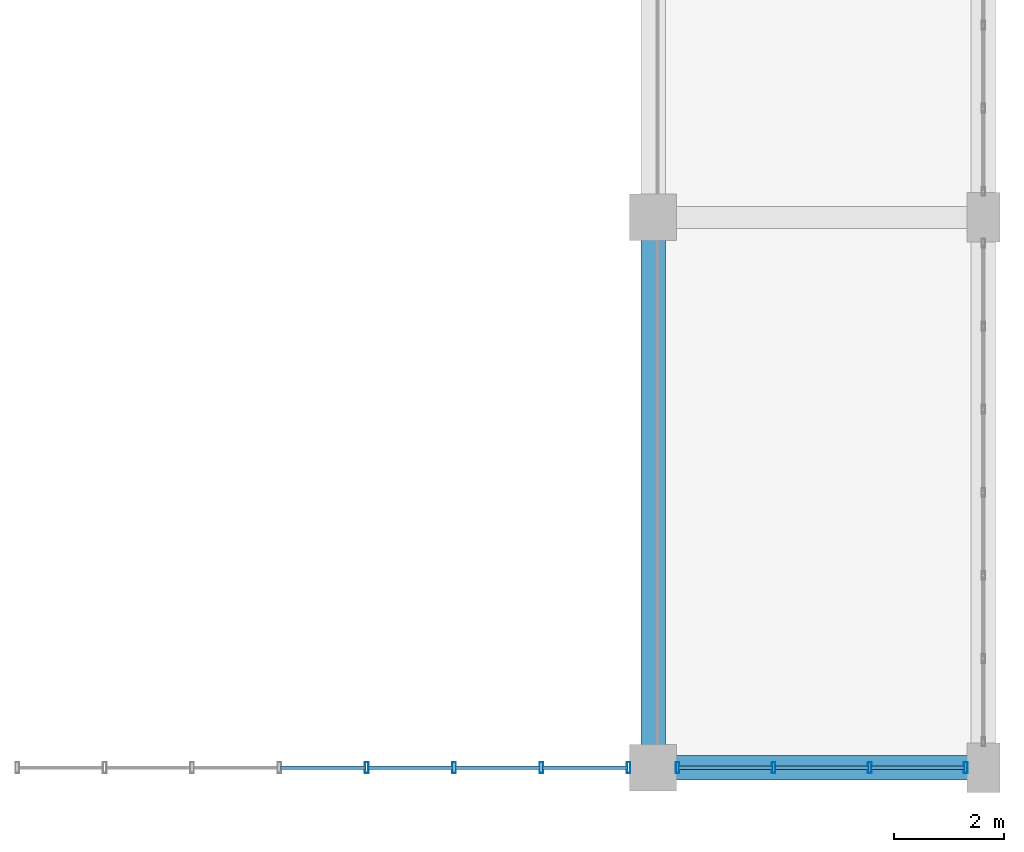
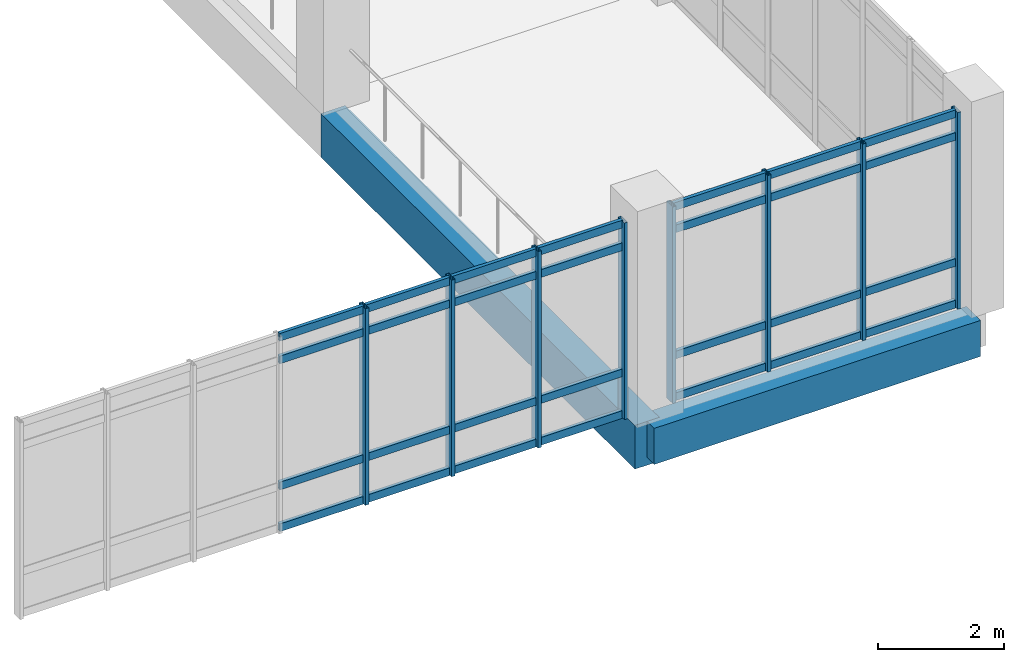
# One storey, part 102 of 161: 36 members, 2 beams, 2 elements without a shape of their own.
"""IFC4 building model written with IfcOpenShell, lengths in metres."""

import ifcopenshell
import ifcopenshell.guid

model = None  # the IFC model being written
_history = None  # IfcOwnerHistory: only IFC2X3 demands one
_inside = {}  # id of a spatial element -> (the spatial element, [elements in it])
_under = {}  # id of a project, library or spatial element -> (it, [spatial elements below it])
_declared = {}  # id of a project -> (the project, [libraries it declares])
_typed = {}  # id of a type object -> (the type object, [elements of that type])
_made_of = {}  # id of a material, layer set ... -> (it, [elements and type objects made of it])


def new_model(schema):
    """Start an empty IFC model of exactly this schema.

    Asked for "IFC4X3", IfcOpenShell would pick the latest addendum, in which some entities
    have other attributes; the version numbers below select the first issue.
    IFC2X3 requires an IfcOwnerHistory on every rooted entity: one is made here for all.
    """
    global model, _history
    if schema == "IFC4X3":
        model = ifcopenshell.file(schema_version=(4, 3, 0, 0))
    else:
        model = ifcopenshell.file(schema=schema)
    _inside.clear()
    _under.clear()
    _declared.clear()
    _typed.clear()
    _made_of.clear()
    _history = None
    if model.schema == "IFC2X3":
        org = make("IfcOrganization", Name="unknown")
        user = make(
            "IfcPersonAndOrganization",
            ThePerson=make("IfcPerson", FamilyName="unknown"),
            TheOrganization=org,
        )
        app = make(
            "IfcApplication",
            ApplicationDeveloper=org,
            Version="unknown",
            ApplicationFullName="unknown",
            ApplicationIdentifier="unknown",
        )
        _history = make(
            "IfcOwnerHistory",
            OwningUser=user,
            OwningApplication=app,
            ChangeAction="ADDED",
            CreationDate=0,
        )
    return model


def make(cls, **values):
    """One entity of the class cls with the attributes given. An attribute that is None is left unset."""
    return model.create_entity(
        cls, **{name: value for name, value in values.items() if value is not None}
    )


def rooted(cls, **values):
    """An entity with a GlobalId (a new one), such as an element, a storey or a relation."""
    return make(cls, GlobalId=ifcopenshell.guid.new(), OwnerHistory=_history, **values)


def si_unit(unit_type, name, prefix=None):
    """IfcSIUnit, for example si_unit("LENGTHUNIT", "METRE", prefix="MILLI")."""
    return make("IfcSIUnit", UnitType=unit_type, Prefix=prefix, Name=name)


def assignment(units):
    """IfcUnitAssignment: the units of a project."""
    return None if units is None else make("IfcUnitAssignment", Units=units)


def point(xyz):
    """IfcCartesianPoint."""
    return None if xyz is None else make("IfcCartesianPoint", Coordinates=xyz)


def direction(xyz):
    """IfcDirection."""
    return None if xyz is None else make("IfcDirection", DirectionRatios=xyz)


def frame(location, z_axis=None, x_axis=None):
    """IfcAxis2Placement3D, a coordinate frame: its origin and axes. An axis left out is left unset."""
    return make(
        "IfcAxis2Placement3D",
        Location=point(location),
        Axis=direction(z_axis),
        RefDirection=direction(x_axis),
    )


def frame_2d(location, x_axis=None):
    """IfcAxis2Placement2D, a coordinate frame in the plane: its origin and x axis."""
    return make(
        "IfcAxis2Placement2D", Location=point(location), RefDirection=direction(x_axis)
    )


def origin():
    """The frame at (0, 0, 0) with its axes left unset."""
    return frame((0.0, 0.0, 0.0))


def origin_2d():
    """The frame at (0, 0) in the plane with its x axis left unset."""
    return frame_2d((0.0, 0.0))


def place(relative_to, where):
    """IfcLocalPlacement: puts the frame where relative to a parent placement (None: the world)."""
    return make(
        "IfcLocalPlacement", PlacementRelTo=relative_to, RelativePlacement=where
    )


def context(
    kind, dimensions, precision=None, world=None, true_north=None, identifier=None
):
    """IfcGeometricRepresentationContext, for example the 3D "Model" context."""
    return make(
        "IfcGeometricRepresentationContext",
        ContextIdentifier=identifier,
        ContextType=kind,
        CoordinateSpaceDimension=dimensions,
        Precision=precision,
        WorldCoordinateSystem=world,
        TrueNorth=true_north,
    )


def subcontext(parent, identifier, kind, view, scale=None):
    """IfcGeometricRepresentationSubContext, for example "Body" below "Model"."""
    return make(
        "IfcGeometricRepresentationSubContext",
        ContextIdentifier=identifier,
        ContextType=kind,
        ParentContext=parent,
        TargetScale=scale,
        TargetView=view,
    )


def project(units=None, contexts=None):
    """IfcProject with its units and contexts."""
    return rooted(
        "IfcProject",
        Name="project",
        RepresentationContexts=contexts,
        UnitsInContext=assignment(units),
    )


def spatial(cls, under=None, at=None, **own):
    """A site, building, storey or space (cls), placed at a placement, below another one or the project."""
    s = rooted(cls, ObjectPlacement=at, **own)
    if under is not None:
        _under.setdefault(under.id(), (under, []))[1].append(s)
    return s


def profile(cls, at=None, kind="AREA", **sizes):
    """A parametric profile (cls). Its sizes go by their IFC names, for example OverallWidth=200.0."""
    return make(cls, ProfileType=kind, Position=at, **sizes)


def rectangle(**sizes):
    """IfcRectangleProfileDef."""
    return profile("IfcRectangleProfileDef", **sizes)


def hollow_rectangle(**sizes):
    """IfcRectangleHollowProfileDef."""
    return profile("IfcRectangleHollowProfileDef", **sizes)


def extrude(swept, where, along, depth):
    """IfcExtrudedAreaSolid: the profile swept, set in the frame where, extruded along a direction by depth."""
    return make(
        "IfcExtrudedAreaSolid",
        SweptArea=swept,
        Position=where,
        ExtrudedDirection=direction(along),
        Depth=depth,
    )


def shape(context_of_items, identifier, shape_type, items):
    """IfcShapeRepresentation: the items that make up one representation, for example the "Body"."""
    return make(
        "IfcShapeRepresentation",
        ContextOfItems=context_of_items,
        RepresentationIdentifier=identifier,
        RepresentationType=shape_type,
        Items=items,
    )


def material(Name=None, Category=None):
    """IfcMaterial."""
    return make("IfcMaterial", Name=Name, Category=Category)


def layer(
    of_material, thickness, ventilated=None, Name=None, Category=None, Priority=None
):
    """IfcMaterialLayer: one layer of a wall or slab, of a material (None: an air gap)."""
    return make(
        "IfcMaterialLayer",
        Material=of_material,
        LayerThickness=thickness,
        IsVentilated=ventilated,
        Name=Name,
        Category=Category,
        Priority=Priority,
    )


def layer_set(layers, Name=None):
    """IfcMaterialLayerSet."""
    return make("IfcMaterialLayerSet", MaterialLayers=layers, LayerSetName=Name)


def material_profile(
    of_material, cross_section, Name=None, Category=None, Priority=None
):
    """IfcMaterialProfile: a cross section and its material."""
    return make(
        "IfcMaterialProfile",
        Name=Name,
        Material=of_material,
        Profile=cross_section,
        Priority=Priority,
        Category=Category,
    )


def profile_set(profiles, Name=None, composite=None):
    """IfcMaterialProfileSet."""
    return make(
        "IfcMaterialProfileSet",
        Name=Name,
        MaterialProfiles=profiles,
        CompositeProfile=composite,
    )


def made_of(thing, what):
    """Note that an element or type object is made of a material, layer set ...; save() writes the relation."""
    if what is not None:
        _made_of.setdefault(what.id(), (what, []))[1].append(thing)
    return thing


def type_object(cls, material=None, **own):
    """A type object (cls), such as IfcWallType, which elements share."""
    return made_of(rooted(cls, **own), material)


def element(
    cls,
    number,
    at=None,
    inside=None,
    cuts=None,
    type_object=None,
    material=None,
    context=None,
    identifier="Body",
    shape_type=None,
    held_by="IfcProductDefinitionShape",
    body=None,
    shapes=None,
    **own,
):
    """One element of the class cls, such as IfcWall. Its Tag is "e" and its number.

    at: its placement. inside: the storey or other place that contains it. cuts: it is an
    opening in that element (IfcRelVoidsElement). A single representation is given by context,
    identifier, shape_type and body (its items); several are given by shapes. held_by: the class
    of the entity that holds the representations. save() writes the other relations.
    """
    e = rooted(cls, Tag="e%d" % number, ObjectPlacement=at, **own)
    if body is not None:
        shapes = [shape(context, identifier, shape_type, body)]
    if shapes is not None:
        e.Representation = make(held_by, Representations=shapes)
    if inside is not None:
        _inside.setdefault(inside.id(), (inside, []))[1].append(e)
    if cuts is not None:
        rooted(
            "IfcRelVoidsElement", RelatingBuildingElement=cuts, RelatedOpeningElement=e
        )
    if type_object is not None:
        _typed.setdefault(type_object.id(), (type_object, []))[1].append(e)
    return made_of(e, material)


def aggregate(whole, parts):
    """IfcRelAggregates: a whole, such as a stair, and the parts it consists of."""
    return rooted("IfcRelAggregates", RelatingObject=whole, RelatedObjects=parts)


def save(model, path):
    """Write the relations noted so far, then the file.

    IfcRelAggregates (storeys below a building ...), IfcRelContainedInSpatialStructure (elements
    in a storey), IfcRelDefinesByType, IfcRelAssociatesMaterial and IfcRelDeclares: one each for
    every whole, place, type object, material and project.
    """
    for whole, parts in _under.values():
        aggregate(whole, parts)
    for where, things in _inside.values():
        rooted(
            "IfcRelContainedInSpatialStructure",
            RelatedElements=things,
            RelatingStructure=where,
        )
    for kind, things in _typed.values():
        rooted("IfcRelDefinesByType", RelatedObjects=things, RelatingType=kind)
    for what, things in _made_of.values():
        rooted("IfcRelAssociatesMaterial", RelatedObjects=things, RelatingMaterial=what)
    for by, libraries in _declared.values():
        rooted("IfcRelDeclares", RelatingContext=by, RelatedDefinitions=libraries)
    model.write(path)


model = new_model("IFC4")

# Units and contexts
model_context = context("Model", 3, precision=1e-05, world=origin(), true_north=direction((0.0, 1.0)))
body_context = subcontext(model_context, "Body", "Model", "MODEL_VIEW")
ifc_project = project(units=[si_unit("LENGTHUNIT", "METRE"), si_unit("AREAUNIT", "SQUARE_METRE"), si_unit("VOLUMEUNIT", "CUBIC_METRE"), si_unit("PLANEANGLEUNIT", "RADIAN"), si_unit("MASSUNIT", "GRAM", prefix="KILO")], contexts=[model_context])

# Site, building, storey
site_placement = place(None, origin())
site = spatial("IfcSite", under=ifc_project, at=site_placement, CompositionType="ELEMENT")
building_placement = place(site_placement, origin())
building = spatial("IfcBuilding", under=site, at=building_placement, Name="Mersad Railyard Sports Hall", CompositionType="ELEMENT")
storey_placement = place(building_placement, frame((0.0, 0.0, 4.800048828125)))
storey = spatial("IfcBuildingStorey", under=building, at=storey_placement, Name="L01", CompositionType="ELEMENT", Elevation=4.800048828125)

# Curtain wall, members
ifc_material_1 = material(Name="Aluminium 6063-T6", Category="aluminium")
ifc_layer_1 = layer(ifc_material_1, 0.199951171875)
ifc_layer_set_1 = layer_set([ifc_layer_1], Name="Aluminium 6063-T6")
curtain_wall_type_1 = type_object("IfcCurtainWallType", Name="ARC-CW-CW10", PredefinedType="USERDEFINED", material=ifc_layer_set_1)
curtain_wall_1_placement = place(storey_placement, origin())
curtain_wall_1 = element("IfcCurtainWall", 1, at=curtain_wall_1_placement, inside=storey, type_object=curtain_wall_type_1, Name="Curtain wall CW10-0041", ObjectType="CURTAIN WALL", PredefinedType="USERDEFINED")
ifc_material_profile_1 = material_profile(ifc_material_1, hollow_rectangle(XDim=0.06494140625, YDim=0.199951171875, WallThickness=0.0048828125, at=origin_2d()), Name="AL MULLION 65x200x5")
ifc_profile_set_1 = profile_set([ifc_material_profile_1], Name="Aluminium 6063-T6")
member_type_1 = type_object("IfcMemberType", Name="ARC-CW-MUL02", PredefinedType="MULLION", material=ifc_profile_set_1)
member_1_placement = place(storey_placement, frame((172.554931640625, 3.5, -0.02001953125), z_axis=(0.0, 0.0, 1.0), x_axis=(1.0, 0.0, 0.0)))
member_1 = element("IfcMember", 2, at=member_1_placement, type_object=member_type_1, Name="CW10 Mullion 1", PredefinedType="MULLION", context=body_context, shape_type="SweptSolid", body=[
    extrude(hollow_rectangle(XDim=0.06494140625, YDim=0.199951171875, WallThickness=0.0048828125, at=origin_2d()), origin(), (0.0, 0.0, 1.0), 3.820068359375),
])
member_2_placement = place(storey_placement, frame((170.968505859375, 3.5, -0.02001953125), z_axis=(0.0, 0.0, 1.0), x_axis=(1.0, 0.0, 0.0)))
member_2 = element("IfcMember", 3, at=member_2_placement, type_object=member_type_1, Name="CW10 Mullion 2", PredefinedType="MULLION", context=body_context, shape_type="SweptSolid", body=[
    extrude(hollow_rectangle(XDim=0.06494140625, YDim=0.199951171875, WallThickness=0.0048828125, at=origin_2d()), origin(), (0.0, 0.0, 1.0), 3.820068359375),
])
member_3_placement = place(storey_placement, frame((169.382080078125, 3.5, -0.02001953125), z_axis=(0.0, 0.0, 1.0), x_axis=(1.0, 0.0, 0.0)))
member_3 = element("IfcMember", 4, at=member_3_placement, type_object=member_type_1, Name="CW10 Mullion 3", PredefinedType="MULLION", context=body_context, shape_type="SweptSolid", body=[
    extrude(hollow_rectangle(XDim=0.06494140625, YDim=0.199951171875, WallThickness=0.0048828125, at=origin_2d()), origin(), (0.0, 0.0, 1.0), 3.820068359375),
])
member_4_placement = place(storey_placement, frame((167.795654296875, 3.5, -0.02001953125), z_axis=(0.0, 0.0, 1.0), x_axis=(1.0, 0.0, 0.0)))
member_4 = element("IfcMember", 5, at=member_4_placement, type_object=member_type_1, Name="CW10 Mullion 4", PredefinedType="MULLION", context=body_context, shape_type="SweptSolid", body=[
    extrude(hollow_rectangle(XDim=0.06494140625, YDim=0.199951171875, WallThickness=0.0048828125, at=origin_2d()), origin(), (0.0, 0.0, 1.0), 3.820068359375),
])

ifc_layer_2 = layer(ifc_material_1, 0.199951171875)
ifc_layer_set_2 = layer_set([ifc_layer_2], Name="Aluminium 6063-T6")
curtain_wall_type_2 = type_object("IfcCurtainWallType", Name="ARC-CW-CW09", PredefinedType="USERDEFINED", material=ifc_layer_set_2)
curtain_wall_2_placement = place(storey_placement, origin())
curtain_wall_2 = element("IfcCurtainWall", 6, at=curtain_wall_2_placement, inside=storey, type_object=curtain_wall_type_2, Name="Curtain wall CW09-0043", ObjectType="CURTAIN WALL", PredefinedType="USERDEFINED")
member_5_placement = place(storey_placement, frame((178.679931640625, 3.5, -0.02001953125), z_axis=(0.0, 0.0, 1.0), x_axis=(1.0, 0.0, 0.0)))
member_5 = element("IfcMember", 7, at=member_5_placement, type_object=member_type_1, Name="CW09 Mullion 1", PredefinedType="MULLION", context=body_context, shape_type="SweptSolid", body=[
    extrude(hollow_rectangle(XDim=0.06494140625, YDim=0.199951171875, WallThickness=0.0048828125, at=origin_2d()), origin(), (0.0, 0.0, 1.0), 3.820068359375),
])
member_6_placement = place(storey_placement, frame((176.93505859375, 3.5, -0.02001953125), z_axis=(0.0, 0.0, 1.0), x_axis=(1.0, 0.0, 0.0)))
member_6 = element("IfcMember", 8, at=member_6_placement, type_object=member_type_1, Name="CW09 Mullion 2", PredefinedType="MULLION", context=body_context, shape_type="SweptSolid", body=[
    extrude(hollow_rectangle(XDim=0.06494140625, YDim=0.199951171875, WallThickness=0.0048828125, at=origin_2d()), origin(), (0.0, 0.0, 1.0), 3.820068359375),
])
member_7_placement = place(storey_placement, frame((175.18994140625, 3.5, -0.02001953125), z_axis=(0.0, 0.0, 1.0), x_axis=(1.0, 0.0, 0.0)))
member_7 = element("IfcMember", 9, at=member_7_placement, type_object=member_type_1, Name="CW09 Mullion 3", PredefinedType="MULLION", context=body_context, shape_type="SweptSolid", body=[
    extrude(hollow_rectangle(XDim=0.06494140625, YDim=0.199951171875, WallThickness=0.0048828125, at=origin_2d()), origin(), (0.0, 0.0, 1.0), 3.820068359375),
])
member_8_placement = place(storey_placement, frame((173.445068359375, 3.5, -0.02001953125), z_axis=(0.0, 0.0, 1.0), x_axis=(1.0, 0.0, 0.0)))
member_8 = element("IfcMember", 10, at=member_8_placement, type_object=member_type_1, Name="CW09 Mullion 4", PredefinedType="MULLION", context=body_context, shape_type="SweptSolid", body=[
    extrude(hollow_rectangle(XDim=0.06494140625, YDim=0.199951171875, WallThickness=0.0048828125, at=origin_2d()), origin(), (0.0, 0.0, 1.0), 3.820068359375),
])

# Member
ifc_material_profile_2 = material_profile(ifc_material_1, hollow_rectangle(XDim=0.06494140625, YDim=0.14990234375, WallThickness=0.00439453125, at=origin_2d()), Name="AL TRANSOM 65x150x4.5")
ifc_profile_set_2 = profile_set([ifc_material_profile_2], Name="Aluminium 6063-T6")
member_type_2 = type_object("IfcMemberType", Name="ARC-CW-TRN02", PredefinedType="USERDEFINED", material=ifc_profile_set_2)
member_9_placement = place(storey_placement, frame((172.534912109375, 3.5, 0.0400390625), z_axis=(-1.0, 0.0, 0.0), x_axis=(0.0, -1.0, 0.0)))
member_9 = element("IfcMember", 11, at=member_9_placement, type_object=member_type_2, Name="CW10 Transom 1-1", ObjectType="TRANSOM", PredefinedType="USERDEFINED", context=body_context, shape_type="SweptSolid", body=[
    extrude(hollow_rectangle(XDim=0.06494140625, YDim=0.14990234375, WallThickness=0.00439453125, at=origin_2d()), origin(), (0.0, 0.0, 1.0), 1.54638671875),
])

member_10_placement = place(storey_placement, frame((170.948486328125, 3.5, 0.0400390625), z_axis=(-1.0, 0.0, 0.0), x_axis=(0.0, -1.0, 0.0)))
member_10 = element("IfcMember", 12, at=member_10_placement, type_object=member_type_2, Name="CW10 Transom 1-2", ObjectType="TRANSOM", PredefinedType="USERDEFINED", context=body_context, shape_type="SweptSolid", body=[
    extrude(hollow_rectangle(XDim=0.06494140625, YDim=0.14990234375, WallThickness=0.00439453125, at=origin_2d()), origin(), (0.0, 0.0, 1.0), 1.54638671875),
])

member_11_placement = place(storey_placement, frame((169.362060546875, 3.5, 0.0400390625), z_axis=(-1.0, 0.0, 0.0), x_axis=(0.0, -1.0, 0.0)))
member_11 = element("IfcMember", 13, at=member_11_placement, type_object=member_type_2, Name="CW10 Transom 1-3", ObjectType="TRANSOM", PredefinedType="USERDEFINED", context=body_context, shape_type="SweptSolid", body=[
    extrude(hollow_rectangle(XDim=0.06494140625, YDim=0.14990234375, WallThickness=0.00439453125, at=origin_2d()), origin(), (0.0, 0.0, 1.0), 1.54638671875),
])

member_12_placement = place(storey_placement, frame((167.775634765625, 3.5, 0.0400390625), z_axis=(-1.0, 0.0, 0.0), x_axis=(0.0, -1.0, 0.0)))
member_12 = element("IfcMember", 14, at=member_12_placement, type_object=member_type_2, Name="CW10 Transom 1-4", ObjectType="TRANSOM", PredefinedType="USERDEFINED", context=body_context, shape_type="SweptSolid", body=[
    extrude(hollow_rectangle(XDim=0.06494140625, YDim=0.14990234375, WallThickness=0.00439453125, at=origin_2d()), origin(), (0.0, 0.0, 1.0), 1.54638671875),
])

member_13_placement = place(storey_placement, frame((172.534912109375, 3.5, 0.849853515625), z_axis=(-1.0, 0.0, 0.0), x_axis=(0.0, -1.0, 0.0)))
member_13 = element("IfcMember", 15, at=member_13_placement, type_object=member_type_2, Name="CW10 Transom 2-1", ObjectType="TRANSOM", PredefinedType="USERDEFINED", context=body_context, shape_type="SweptSolid", body=[
    extrude(hollow_rectangle(XDim=0.06494140625, YDim=0.14990234375, WallThickness=0.00439453125, at=origin_2d()), origin(), (0.0, 0.0, 1.0), 1.54638671875),
])

member_14_placement = place(storey_placement, frame((170.948486328125, 3.5, 0.849853515625), z_axis=(-1.0, 0.0, 0.0), x_axis=(0.0, -1.0, 0.0)))
member_14 = element("IfcMember", 16, at=member_14_placement, type_object=member_type_2, Name="CW10 Transom 2-2", ObjectType="TRANSOM", PredefinedType="USERDEFINED", context=body_context, shape_type="SweptSolid", body=[
    extrude(hollow_rectangle(XDim=0.06494140625, YDim=0.14990234375, WallThickness=0.00439453125, at=origin_2d()), origin(), (0.0, 0.0, 1.0), 1.54638671875),
])

member_15_placement = place(storey_placement, frame((169.362060546875, 3.5, 0.849853515625), z_axis=(-1.0, 0.0, 0.0), x_axis=(0.0, -1.0, 0.0)))
member_15 = element("IfcMember", 17, at=member_15_placement, type_object=member_type_2, Name="CW10 Transom 2-3", ObjectType="TRANSOM", PredefinedType="USERDEFINED", context=body_context, shape_type="SweptSolid", body=[
    extrude(hollow_rectangle(XDim=0.06494140625, YDim=0.14990234375, WallThickness=0.00439453125, at=origin_2d()), origin(), (0.0, 0.0, 1.0), 1.54638671875),
])

member_16_placement = place(storey_placement, frame((167.775634765625, 3.5, 0.849853515625), z_axis=(-1.0, 0.0, 0.0), x_axis=(0.0, -1.0, 0.0)))
member_16 = element("IfcMember", 18, at=member_16_placement, type_object=member_type_2, Name="CW10 Transom 2-4", ObjectType="TRANSOM", PredefinedType="USERDEFINED", context=body_context, shape_type="SweptSolid", body=[
    extrude(hollow_rectangle(XDim=0.06494140625, YDim=0.14990234375, WallThickness=0.00439453125, at=origin_2d()), origin(), (0.0, 0.0, 1.0), 1.54638671875),
])

member_17_placement = place(storey_placement, frame((172.534912109375, 3.5, 3.300048828125), z_axis=(-1.0, 0.0, 0.0), x_axis=(0.0, -1.0, 0.0)))
member_17 = element("IfcMember", 19, at=member_17_placement, type_object=member_type_2, Name="CW10 Transom 3-1", ObjectType="TRANSOM", PredefinedType="USERDEFINED", context=body_context, shape_type="SweptSolid", body=[
    extrude(hollow_rectangle(XDim=0.06494140625, YDim=0.14990234375, WallThickness=0.00439453125, at=origin_2d()), origin(), (0.0, 0.0, 1.0), 1.54638671875),
])

member_18_placement = place(storey_placement, frame((170.948486328125, 3.5, 3.300048828125), z_axis=(-1.0, 0.0, 0.0), x_axis=(0.0, -1.0, 0.0)))
member_18 = element("IfcMember", 20, at=member_18_placement, type_object=member_type_2, Name="CW10 Transom 3-2", ObjectType="TRANSOM", PredefinedType="USERDEFINED", context=body_context, shape_type="SweptSolid", body=[
    extrude(hollow_rectangle(XDim=0.06494140625, YDim=0.14990234375, WallThickness=0.00439453125, at=origin_2d()), origin(), (0.0, 0.0, 1.0), 1.54638671875),
])

member_19_placement = place(storey_placement, frame((169.362060546875, 3.5, 3.300048828125), z_axis=(-1.0, 0.0, 0.0), x_axis=(0.0, -1.0, 0.0)))
member_19 = element("IfcMember", 21, at=member_19_placement, type_object=member_type_2, Name="CW10 Transom 3-3", ObjectType="TRANSOM", PredefinedType="USERDEFINED", context=body_context, shape_type="SweptSolid", body=[
    extrude(hollow_rectangle(XDim=0.06494140625, YDim=0.14990234375, WallThickness=0.00439453125, at=origin_2d()), origin(), (0.0, 0.0, 1.0), 1.54638671875),
])

member_20_placement = place(storey_placement, frame((167.775634765625, 3.5, 3.300048828125), z_axis=(-1.0, 0.0, 0.0), x_axis=(0.0, -1.0, 0.0)))
member_20 = element("IfcMember", 22, at=member_20_placement, type_object=member_type_2, Name="CW10 Transom 3-4", ObjectType="TRANSOM", PredefinedType="USERDEFINED", context=body_context, shape_type="SweptSolid", body=[
    extrude(hollow_rectangle(XDim=0.06494140625, YDim=0.14990234375, WallThickness=0.00439453125, at=origin_2d()), origin(), (0.0, 0.0, 1.0), 1.54638671875),
])

member_21_placement = place(storey_placement, frame((172.534912109375, 3.5, 3.739990234375), z_axis=(-1.0, 0.0, 0.0), x_axis=(0.0, -1.0, 0.0)))
member_21 = element("IfcMember", 23, at=member_21_placement, type_object=member_type_2, Name="CW10 Transom 4-1", ObjectType="TRANSOM", PredefinedType="USERDEFINED", context=body_context, shape_type="SweptSolid", body=[
    extrude(hollow_rectangle(XDim=0.06494140625, YDim=0.14990234375, WallThickness=0.00439453125, at=origin_2d()), origin(), (0.0, 0.0, 1.0), 1.54638671875),
])

member_22_placement = place(storey_placement, frame((170.948486328125, 3.5, 3.739990234375), z_axis=(-1.0, 0.0, 0.0), x_axis=(0.0, -1.0, 0.0)))
member_22 = element("IfcMember", 24, at=member_22_placement, type_object=member_type_2, Name="CW10 Transom 4-2", ObjectType="TRANSOM", PredefinedType="USERDEFINED", context=body_context, shape_type="SweptSolid", body=[
    extrude(hollow_rectangle(XDim=0.06494140625, YDim=0.14990234375, WallThickness=0.00439453125, at=origin_2d()), origin(), (0.0, 0.0, 1.0), 1.54638671875),
])

member_23_placement = place(storey_placement, frame((169.362060546875, 3.5, 3.739990234375), z_axis=(-1.0, 0.0, 0.0), x_axis=(0.0, -1.0, 0.0)))
member_23 = element("IfcMember", 25, at=member_23_placement, type_object=member_type_2, Name="CW10 Transom 4-3", ObjectType="TRANSOM", PredefinedType="USERDEFINED", context=body_context, shape_type="SweptSolid", body=[
    extrude(hollow_rectangle(XDim=0.06494140625, YDim=0.14990234375, WallThickness=0.00439453125, at=origin_2d()), origin(), (0.0, 0.0, 1.0), 1.54638671875),
])

member_24_placement = place(storey_placement, frame((167.775634765625, 3.5, 3.739990234375), z_axis=(-1.0, 0.0, 0.0), x_axis=(0.0, -1.0, 0.0)))
member_24 = element("IfcMember", 26, at=member_24_placement, type_object=member_type_2, Name="CW10 Transom 4-4", ObjectType="TRANSOM", PredefinedType="USERDEFINED", context=body_context, shape_type="SweptSolid", body=[
    extrude(hollow_rectangle(XDim=0.06494140625, YDim=0.14990234375, WallThickness=0.00439453125, at=origin_2d()), origin(), (0.0, 0.0, 1.0), 1.54638671875),
])

aggregate(curtain_wall_1, [member_1, member_2, member_3, member_4, member_9, member_10, member_11, member_12, member_13, member_14, member_15, member_16, member_17, member_18, member_19, member_20, member_21, member_22, member_23, member_24])

member_25_placement = place(storey_placement, frame((178.659912109375, 3.5, 0.0400390625), z_axis=(-1.0, 0.0, 0.0), x_axis=(0.0, -1.0, 0.0)))
member_25 = element("IfcMember", 27, at=member_25_placement, type_object=member_type_2, Name="CW09 Transom 1-1", ObjectType="TRANSOM", PredefinedType="USERDEFINED", context=body_context, shape_type="SweptSolid", body=[
    extrude(hollow_rectangle(XDim=0.06494140625, YDim=0.14990234375, WallThickness=0.00439453125, at=origin_2d()), origin(), (0.0, 0.0, 1.0), 1.704833984375),
])

member_26_placement = place(storey_placement, frame((176.9150390625, 3.5, 0.0400390625), z_axis=(-1.0, 0.0, 0.0), x_axis=(0.0, -1.0, 0.0)))
member_26 = element("IfcMember", 28, at=member_26_placement, type_object=member_type_2, Name="CW09 Transom 1-2", ObjectType="TRANSOM", PredefinedType="USERDEFINED", context=body_context, shape_type="SweptSolid", body=[
    extrude(hollow_rectangle(XDim=0.06494140625, YDim=0.14990234375, WallThickness=0.00439453125, at=origin_2d()), origin(), (0.0, 0.0, 1.0), 1.705078125),
])

member_27_placement = place(storey_placement, frame((175.169921875, 3.5, 0.0400390625), z_axis=(-1.0, 0.0, 0.0), x_axis=(0.0, -1.0, 0.0)))
member_27 = element("IfcMember", 29, at=member_27_placement, type_object=member_type_2, Name="CW09 Transom 1-3", ObjectType="TRANSOM", PredefinedType="USERDEFINED", context=body_context, shape_type="SweptSolid", body=[
    extrude(hollow_rectangle(XDim=0.06494140625, YDim=0.14990234375, WallThickness=0.00439453125, at=origin_2d()), origin(), (0.0, 0.0, 1.0), 1.704833984375),
])

member_28_placement = place(storey_placement, frame((178.659912109375, 3.5, 0.849853515625), z_axis=(-1.0, 0.0, 0.0), x_axis=(0.0, -1.0, 0.0)))
member_28 = element("IfcMember", 30, at=member_28_placement, type_object=member_type_2, Name="CW09 Transom 2-1", ObjectType="TRANSOM", PredefinedType="USERDEFINED", context=body_context, shape_type="SweptSolid", body=[
    extrude(hollow_rectangle(XDim=0.06494140625, YDim=0.14990234375, WallThickness=0.00439453125, at=origin_2d()), origin(), (0.0, 0.0, 1.0), 1.704833984375),
])

member_29_placement = place(storey_placement, frame((176.9150390625, 3.5, 0.849853515625), z_axis=(-1.0, 0.0, 0.0), x_axis=(0.0, -1.0, 0.0)))
member_29 = element("IfcMember", 31, at=member_29_placement, type_object=member_type_2, Name="CW09 Transom 2-2", ObjectType="TRANSOM", PredefinedType="USERDEFINED", context=body_context, shape_type="SweptSolid", body=[
    extrude(hollow_rectangle(XDim=0.06494140625, YDim=0.14990234375, WallThickness=0.00439453125, at=origin_2d()), origin(), (0.0, 0.0, 1.0), 1.705078125),
])

member_30_placement = place(storey_placement, frame((175.169921875, 3.5, 0.849853515625), z_axis=(-1.0, 0.0, 0.0), x_axis=(0.0, -1.0, 0.0)))
member_30 = element("IfcMember", 32, at=member_30_placement, type_object=member_type_2, Name="CW09 Transom 2-3", ObjectType="TRANSOM", PredefinedType="USERDEFINED", context=body_context, shape_type="SweptSolid", body=[
    extrude(hollow_rectangle(XDim=0.06494140625, YDim=0.14990234375, WallThickness=0.00439453125, at=origin_2d()), origin(), (0.0, 0.0, 1.0), 1.704833984375),
])

member_31_placement = place(storey_placement, frame((178.659912109375, 3.5, 3.300048828125), z_axis=(-1.0, 0.0, 0.0), x_axis=(0.0, -1.0, 0.0)))
member_31 = element("IfcMember", 33, at=member_31_placement, type_object=member_type_2, Name="CW09 Transom 3-1", ObjectType="TRANSOM", PredefinedType="USERDEFINED", context=body_context, shape_type="SweptSolid", body=[
    extrude(hollow_rectangle(XDim=0.06494140625, YDim=0.14990234375, WallThickness=0.00439453125, at=origin_2d()), origin(), (0.0, 0.0, 1.0), 1.704833984375),
])

member_32_placement = place(storey_placement, frame((176.9150390625, 3.5, 3.300048828125), z_axis=(-1.0, 0.0, 0.0), x_axis=(0.0, -1.0, 0.0)))
member_32 = element("IfcMember", 34, at=member_32_placement, type_object=member_type_2, Name="CW09 Transom 3-2", ObjectType="TRANSOM", PredefinedType="USERDEFINED", context=body_context, shape_type="SweptSolid", body=[
    extrude(hollow_rectangle(XDim=0.06494140625, YDim=0.14990234375, WallThickness=0.00439453125, at=origin_2d()), origin(), (0.0, 0.0, 1.0), 1.705078125),
])

member_33_placement = place(storey_placement, frame((175.169921875, 3.5, 3.300048828125), z_axis=(-1.0, 0.0, 0.0), x_axis=(0.0, -1.0, 0.0)))
member_33 = element("IfcMember", 35, at=member_33_placement, type_object=member_type_2, Name="CW09 Transom 3-3", ObjectType="TRANSOM", PredefinedType="USERDEFINED", context=body_context, shape_type="SweptSolid", body=[
    extrude(hollow_rectangle(XDim=0.06494140625, YDim=0.14990234375, WallThickness=0.00439453125, at=origin_2d()), origin(), (0.0, 0.0, 1.0), 1.704833984375),
])

member_34_placement = place(storey_placement, frame((178.659912109375, 3.5, 3.739990234375), z_axis=(-1.0, 0.0, 0.0), x_axis=(0.0, -1.0, 0.0)))
member_34 = element("IfcMember", 36, at=member_34_placement, type_object=member_type_2, Name="CW09 Transom 4-1", ObjectType="TRANSOM", PredefinedType="USERDEFINED", context=body_context, shape_type="SweptSolid", body=[
    extrude(hollow_rectangle(XDim=0.06494140625, YDim=0.14990234375, WallThickness=0.00439453125, at=origin_2d()), origin(), (0.0, 0.0, 1.0), 1.704833984375),
])

member_35_placement = place(storey_placement, frame((176.9150390625, 3.5, 3.739990234375), z_axis=(-1.0, 0.0, 0.0), x_axis=(0.0, -1.0, 0.0)))
member_35 = element("IfcMember", 37, at=member_35_placement, type_object=member_type_2, Name="CW09 Transom 4-2", ObjectType="TRANSOM", PredefinedType="USERDEFINED", context=body_context, shape_type="SweptSolid", body=[
    extrude(hollow_rectangle(XDim=0.06494140625, YDim=0.14990234375, WallThickness=0.00439453125, at=origin_2d()), origin(), (0.0, 0.0, 1.0), 1.705078125),
])

member_36_placement = place(storey_placement, frame((175.169921875, 3.5, 3.739990234375), z_axis=(-1.0, 0.0, 0.0), x_axis=(0.0, -1.0, 0.0)))
member_36 = element("IfcMember", 38, at=member_36_placement, type_object=member_type_2, Name="CW09 Transom 4-3", ObjectType="TRANSOM", PredefinedType="USERDEFINED", context=body_context, shape_type="SweptSolid", body=[
    extrude(hollow_rectangle(XDim=0.06494140625, YDim=0.14990234375, WallThickness=0.00439453125, at=origin_2d()), origin(), (0.0, 0.0, 1.0), 1.704833984375),
])

aggregate(curtain_wall_2, [member_5, member_6, member_7, member_8, member_25, member_26, member_27, member_28, member_29, member_30, member_31, member_32, member_33, member_34, member_35, member_36])

# Beams
ifc_material_2 = material(Name="Concrete C40/50", Category="concrete")
ifc_material_profile_3 = material_profile(ifc_material_2, rectangle(XDim=0.449951171875, YDim=0.85009765625, at=origin_2d()), Name="RC 450x850")
ifc_profile_set_3 = profile_set([ifc_material_profile_3], Name="Concrete C40/50")
beam_type_1 = type_object("IfcBeamType", Name="STR-BM-B02", PredefinedType="BEAM", material=ifc_profile_set_3)
beam_1_placement = place(storey_placement, frame((173.0, 3.5, -0.705078125), z_axis=(0.0, 1.0, 0.0), x_axis=(-1.0, 0.0, 0.0)))
element("IfcBeam", 39, at=beam_1_placement, inside=storey, type_object=beam_type_1, Name="Beam B02-0647", PredefinedType="BEAM", context=body_context, shape_type="SweptSolid", body=[
    extrude(rectangle(XDim=0.449951171875, YDim=0.85009765625, at=origin_2d()), origin(), (0.0, 0.0, 1.0), 10.0),
])
ifc_material_3 = material(Name="Architectural concrete C40/50", Category="concrete")
ifc_material_profile_4 = material_profile(ifc_material_3, rectangle(XDim=0.449951171875, YDim=0.699951171875, at=origin_2d()), Name="RC 450x700")
ifc_profile_set_4 = profile_set([ifc_material_profile_4], Name="Architectural concrete C40/50")
beam_type_2 = type_object("IfcBeamType", Name="STR-BM-SP01", PredefinedType="SPANDREL", material=ifc_profile_set_4)
beam_2_placement = place(storey_placement, frame((173.0, 3.5, -0.630126953125), z_axis=(1.0, 0.0, 0.0), x_axis=(0.0, 1.0, 0.0)))
element("IfcBeam", 40, at=beam_2_placement, inside=storey, type_object=beam_type_2, Name="Beam SP01-0642", PredefinedType="SPANDREL", context=body_context, shape_type="SweptSolid", body=[
    extrude(rectangle(XDim=0.449951171875, YDim=0.699951171875, at=origin_2d()), origin(), (0.0, 0.0, 1.0), 6.0),
])

save(model, "model.ifc")
